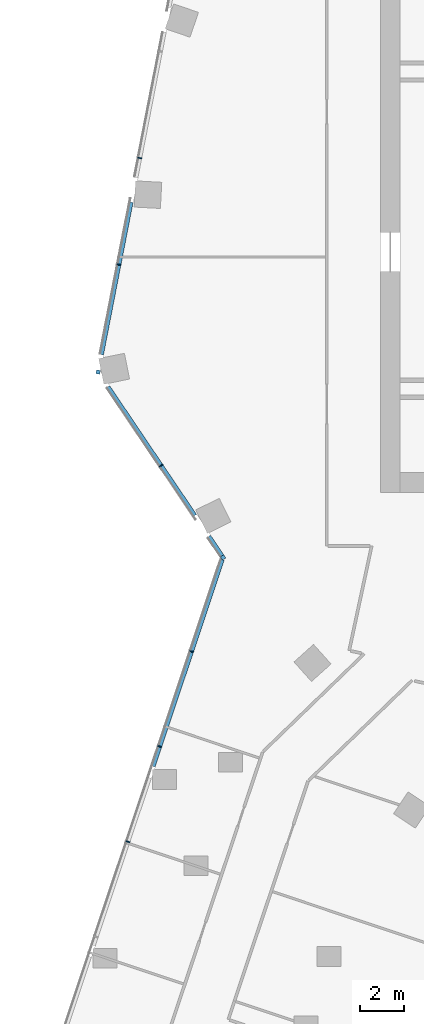
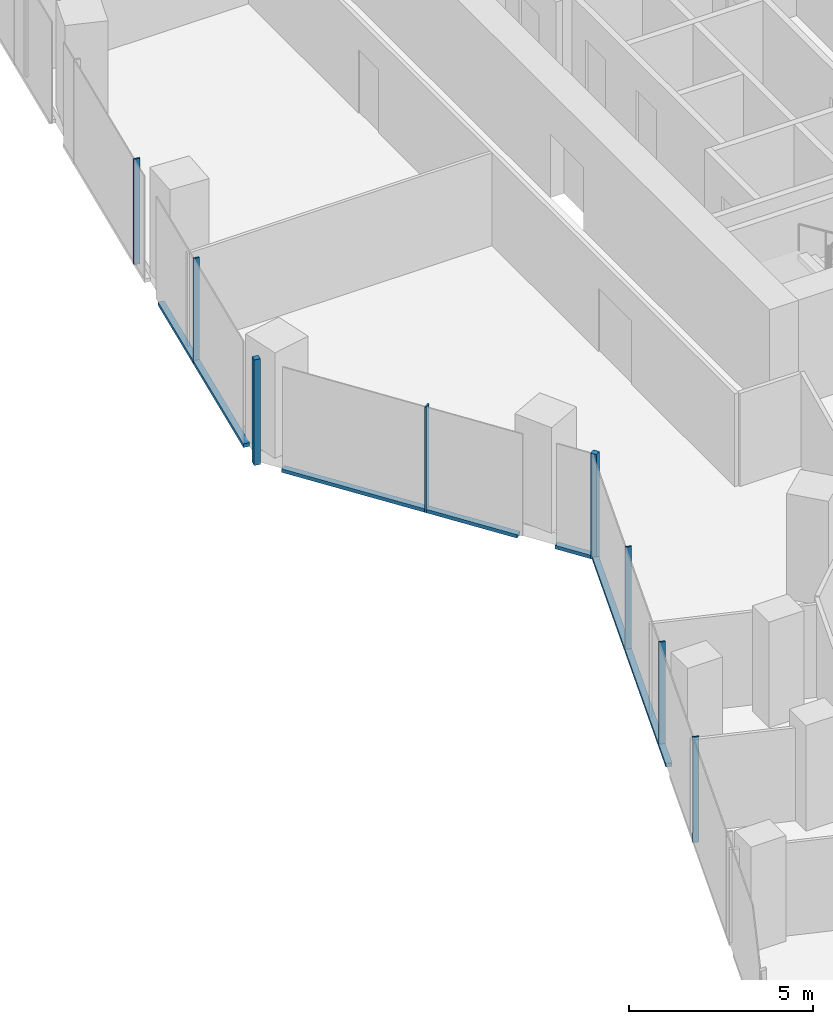
# One storey, part 6 of 26: 12 members, 3 elements without a shape of their own.
"""IFC4 building model written with IfcOpenShell, lengths in metres."""

from ifc_helpers import new_model, si_unit, direction, frame, origin, origin_2d, place, context, subcontext, project, spatial, rectangle, extrude, material, material_profile, profile_set, type_object, element, aggregate, save


model = new_model("IFC4")

# Units and contexts
model_context = context("Model", 3, precision=1e-05, world=origin(), true_north=direction((0.0, 1.0)))
body_context = subcontext(model_context, "Body", "Model", "MODEL_VIEW")
ifc_project = project(units=[si_unit("LENGTHUNIT", "METRE"), si_unit("AREAUNIT", "SQUARE_METRE"), si_unit("VOLUMEUNIT", "CUBIC_METRE"), si_unit("PLANEANGLEUNIT", "RADIAN"), si_unit("MASSUNIT", "GRAM", prefix="KILO")], contexts=[model_context])

# Site, building, storey
site_placement = place(None, origin())
site = spatial("IfcSite", under=ifc_project, at=site_placement, CompositionType="ELEMENT")
building_placement = place(site_placement, origin())
building = spatial("IfcBuilding", under=site, at=building_placement, Name="Orlundy Tower", CompositionType="ELEMENT")
storey_placement = place(building_placement, frame((0.0, 0.0, 156.10009765625)))
storey = spatial("IfcBuildingStorey", under=building, at=storey_placement, Name="L40", CompositionType="ELEMENT", Elevation=156.10009765625)

# Curtain wall, member
ifc_material_1 = material(Name="Aluminium bronze anodised", Category="aluminium")
curtain_wall_type = type_object("IfcCurtainWallType", Name="CW1 wall", PredefinedType="NOTDEFINED", material=ifc_material_1)
curtain_wall_1_placement = place(storey_placement, origin())
curtain_wall_1 = element("IfcCurtainWall", 1, at=curtain_wall_1_placement, inside=storey, type_object=curtain_wall_type, Name="CW1 run 01", PredefinedType="NOTDEFINED")
ifc_material_2 = material(Name="Aluminium bronze anodised", Category="aluminium")
ifc_material_profile_1 = material_profile(ifc_material_2, rectangle(XDim=0.179931640625, YDim=0.179931640625, at=origin_2d()), Name="CW1 corner post 180x180")
ifc_profile_set_1 = profile_set([ifc_material_profile_1], Name="Aluminium bronze anodised")
member_type_1 = type_object("IfcMemberType", Name="CW1 corner post 180x180", PredefinedType="MULLION", material=ifc_profile_set_1)
member_1_placement = place(storey_placement, frame((-26.1953125, -14.9736328125, -0.400146484375), z_axis=(0.0, 0.0, 1.0), x_axis=(-0.829032104807, -0.559201009656, 0.0)))
member_1 = element("IfcMember", 2, at=member_1_placement, type_object=member_type_1, Name="CW1 mullion 7", PredefinedType="MULLION", context=body_context, shape_type="SweptSolid", body=[
    extrude(rectangle(XDim=0.179931640625, YDim=0.179931640625, at=origin_2d()), origin(), (0.0, 0.0, 1.0), 3.5),
])

curtain_wall_2_placement = place(storey_placement, origin())
curtain_wall_2 = element("IfcCurtainWall", 3, at=curtain_wall_2_placement, inside=storey, type_object=curtain_wall_type, Name="CW1 run 02", PredefinedType="NOTDEFINED")
member_2_placement = place(storey_placement, frame((-31.91552734375, -6.493408203125, -0.400146484375), z_axis=(0.0, 0.0, 1.0), x_axis=(-0.981627952333, 0.19080503976, 0.0)))
member_2 = element("IfcMember", 4, at=member_2_placement, type_object=member_type_1, Name="CW1 mullion 9", PredefinedType="MULLION", context=body_context, shape_type="SweptSolid", body=[
    extrude(rectangle(XDim=0.179931640625, YDim=0.179931640625, at=origin_2d()), origin(), (0.0, 0.0, 1.0), 3.5),
])

# Curtain wall, members
curtain_wall_3_placement = place(storey_placement, origin())
curtain_wall_3 = element("IfcCurtainWall", 5, at=curtain_wall_3_placement, inside=storey, type_object=curtain_wall_type, Name="CW1 run 00", PredefinedType="NOTDEFINED")
ifc_material_3 = material(Name="Aluminium bronze anodised", Category="aluminium")
ifc_material_profile_2 = material_profile(ifc_material_3, rectangle(XDim=0.179931640625, YDim=0.050048828125, at=origin_2d()), Name="CW1 mullion 50x180")
ifc_profile_set_2 = profile_set([ifc_material_profile_2], Name="Aluminium bronze anodised")
member_type_2 = type_object("IfcMemberType", Name="CW1 mullion 50x180", PredefinedType="MULLION", material=ifc_profile_set_2)
member_3_placement = place(storey_placement, frame((-30.54931640625, -27.986328125, -0.400146484375), z_axis=(0.0, 0.0, 1.0), x_axis=(-0.948326756752, 0.317295386712, 0.0)))
member_3 = element("IfcMember", 6, at=member_3_placement, type_object=member_type_2, Name="CW1 mullion 4", PredefinedType="MULLION", context=body_context, shape_type="SweptSolid", body=[
    extrude(rectangle(XDim=0.179931640625, YDim=0.050048828125, at=origin_2d()), origin(), (0.0, 0.0, 1.0), 3.5),
])
member_4_placement = place(storey_placement, frame((-29.09326171875, -23.634765625, -0.400146484375), z_axis=(0.0, 0.0, 1.0), x_axis=(-0.948326756752, 0.317295386712, 0.0)))
member_4 = element("IfcMember", 7, at=member_4_placement, type_object=member_type_2, Name="CW1 mullion 5", PredefinedType="MULLION", context=body_context, shape_type="SweptSolid", body=[
    extrude(rectangle(XDim=0.179931640625, YDim=0.050048828125, at=origin_2d()), origin(), (0.0, 0.0, 1.0), 3.5),
])
member_5_placement = place(storey_placement, frame((-27.637451171875, -19.283203125, -0.400146484375), z_axis=(0.0, 0.0, 1.0), x_axis=(-0.948326756752, 0.317295386712, 0.0)))
member_5 = element("IfcMember", 8, at=member_5_placement, type_object=member_type_2, Name="CW1 mullion 6", PredefinedType="MULLION", context=body_context, shape_type="SweptSolid", body=[
    extrude(rectangle(XDim=0.179931640625, YDim=0.050048828125, at=origin_2d()), origin(), (0.0, 0.0, 1.0), 3.5),
])

# Member
member_6_placement = place(storey_placement, frame((-29.03271484375, -10.767333984375, -0.400146484375), z_axis=(0.0, 0.0, 1.0), x_axis=(-0.829032104807, -0.559201009656, 0.0)))
member_6 = element("IfcMember", 9, at=member_6_placement, type_object=member_type_2, Name="CW1 mullion 8", PredefinedType="MULLION", context=body_context, shape_type="SweptSolid", body=[
    extrude(rectangle(XDim=0.179931640625, YDim=0.050048828125, at=origin_2d()), origin(), (0.0, 0.0, 1.0), 3.5),
])

member_7_placement = place(storey_placement, frame((-30.9599609375, -1.57763671875, -0.400146484375), z_axis=(0.0, 0.0, 1.0), x_axis=(-0.981627952333, 0.19080503976, 0.0)))
member_7 = element("IfcMember", 10, at=member_7_placement, type_object=member_type_2, Name="CW1 mullion 10", PredefinedType="MULLION", context=body_context, shape_type="SweptSolid", body=[
    extrude(rectangle(XDim=0.179931640625, YDim=0.050048828125, at=origin_2d()), origin(), (0.0, 0.0, 1.0), 3.5),
])

member_8_placement = place(storey_placement, frame((-30.011474609375, 3.301513671875, -0.400146484375), z_axis=(0.0, 0.0, 1.0), x_axis=(-0.981627952333, 0.19080503976, 0.0)))
member_8 = element("IfcMember", 11, at=member_8_placement, type_object=member_type_2, Name="CW1 mullion 11", PredefinedType="MULLION", context=body_context, shape_type="SweptSolid", body=[
    extrude(rectangle(XDim=0.179931640625, YDim=0.050048828125, at=origin_2d()), origin(), (0.0, 0.0, 1.0), 3.5),
])

ifc_material_4 = material(Name="Aluminium bronze anodised", Category="aluminium")
ifc_material_profile_3 = material_profile(ifc_material_4, rectangle(XDim=0.179931640625, YDim=0.1201171875, at=origin_2d()), Name="CW1 transom 180x120")
ifc_profile_set_3 = profile_set([ifc_material_profile_3], Name="Aluminium bronze anodised")
member_type_3 = type_object("IfcMemberType", Name="CW1 transom 180x120", PredefinedType="USERDEFINED", material=ifc_profile_set_3)
member_9_placement = place(storey_placement, frame((-29.39599609375, -24.5390625, -0.340087890625), z_axis=(0.317299754244, 0.948325295432, 0.0), x_axis=(-0.948325295432, 0.317299754244, 0.0)))
member_9 = element("IfcMember", 12, at=member_9_placement, type_object=member_type_3, Name="CW1 transom", ObjectType="TRANSOM", PredefinedType="USERDEFINED", context=body_context, shape_type="SweptSolid", body=[
    extrude(rectangle(XDim=0.179931640625, YDim=0.1201171875, at=origin_2d()), origin(), (0.0, 0.0, 1.0), 9.973388671875),
])

aggregate(curtain_wall_3, [member_3, member_4, member_5, member_9])

member_10_placement = place(storey_placement, frame((-26.245849609375, -14.89892578125, -0.340087890625), z_axis=(-0.559156219571, 0.829062314977, 0.0), x_axis=(-0.829062314977, -0.559156219571, 0.0)))
member_10 = element("IfcMember", 13, at=member_10_placement, type_object=member_type_3, Name="CW1 transom", ObjectType="TRANSOM", PredefinedType="USERDEFINED", context=body_context, shape_type="SweptSolid", body=[
    extrude(rectangle(XDim=0.179931640625, YDim=0.1201171875, at=origin_2d()), origin(), (0.0, 0.0, 1.0), 1.07275390625),
])

member_11_placement = place(storey_placement, frame((-27.488525390625, -13.056396484375, -0.340087890625), z_axis=(-0.559196044815, 0.829035453683, 0.0), x_axis=(-0.829035453683, -0.559196044815, 0.0)))
member_11 = element("IfcMember", 14, at=member_11_placement, type_object=member_type_3, Name="CW1 transom", ObjectType="TRANSOM", PredefinedType="USERDEFINED", context=body_context, shape_type="SweptSolid", body=[
    extrude(rectangle(XDim=0.179931640625, YDim=0.1201171875, at=origin_2d()), origin(), (0.0, 0.0, 1.0), 7.10498046875),
])

aggregate(curtain_wall_1, [member_1, member_6, member_10, member_11])

member_12_placement = place(storey_placement, frame((-31.760498046875, -5.696044921875, -0.340087890625), z_axis=(0.190817270766, 0.981625574839, 0.0), x_axis=(-0.981625574839, 0.190817270766, 0.0)))
member_12 = element("IfcMember", 15, at=member_12_placement, type_object=member_type_3, Name="CW1 transom", ObjectType="TRANSOM", PredefinedType="USERDEFINED", context=body_context, shape_type="SweptSolid", body=[
    extrude(rectangle(XDim=0.179931640625, YDim=0.1201171875, at=origin_2d()), origin(), (0.0, 0.0, 1.0), 7.10986328125),
])

aggregate(curtain_wall_2, [member_2, member_7, member_8, member_12])

save(model, "model.ifc")
